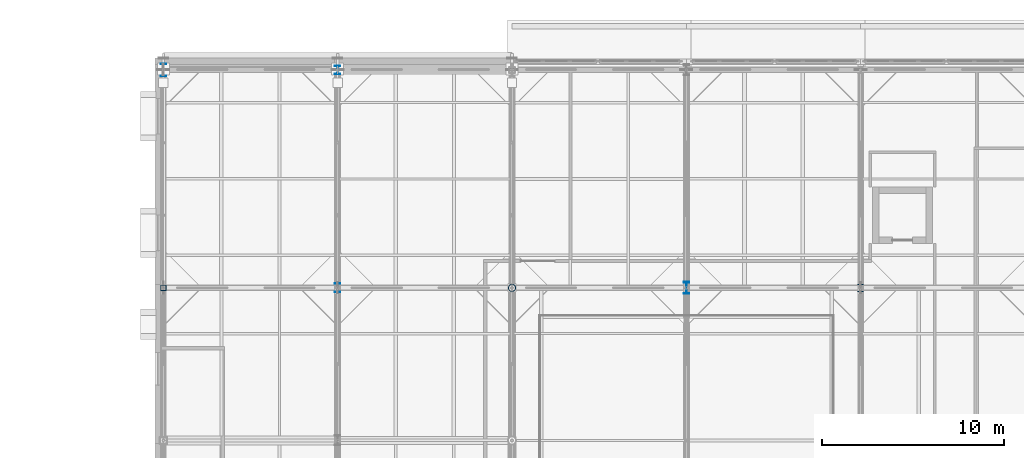
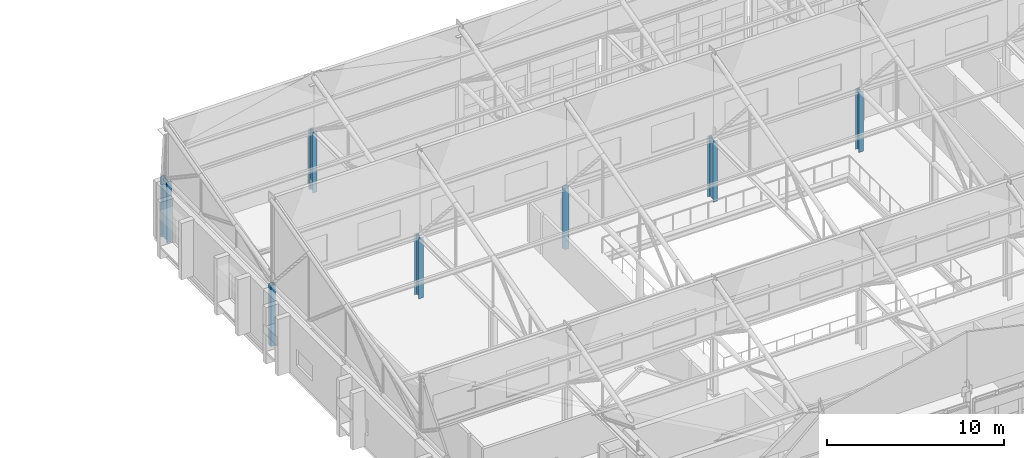
# One storey, part 4 of 89: 7 columns.
"""IFC4 building model written with IfcOpenShell, lengths in metres."""

from ifc_helpers import new_model, si_unit, direction, frame, origin, origin_2d, place, context, subcontext, project, spatial, hollow_rectangle, hollow_circle, i_section, extrude, material, material_profile, profile_set, type_object, element, save


model = new_model("IFC4")

# Units and contexts
model_context = context("Model", 3, precision=1e-05, world=origin(), true_north=direction((0.0, 1.0)))
body_context = subcontext(model_context, "Body", "Model", "MODEL_VIEW")
ifc_project = project(units=[si_unit("LENGTHUNIT", "METRE"), si_unit("AREAUNIT", "SQUARE_METRE"), si_unit("VOLUMEUNIT", "CUBIC_METRE"), si_unit("PLANEANGLEUNIT", "RADIAN"), si_unit("MASSUNIT", "GRAM", prefix="KILO")], contexts=[model_context])

# Site, building, storey
site_placement = place(None, origin())
site = spatial("IfcSite", under=ifc_project, at=site_placement, CompositionType="ELEMENT")
building_placement = place(site_placement, origin())
building = spatial("IfcBuilding", under=site, at=building_placement, Name="Zereglee Splitstone Museum", CompositionType="ELEMENT")
storey_placement = place(building_placement, frame((0.0, 0.0, 21.300048828125)))
storey = spatial("IfcBuildingStorey", under=building, at=storey_placement, Name="L04", CompositionType="ELEMENT", Elevation=21.300048828125)

# Columns
ifc_material_1 = material(Name="Steel S355J2H", Category="steel")
ifc_material_profile_1 = material_profile(ifc_material_1, hollow_circle(Radius=0.203125, WallThickness=0.02001953125, at=origin_2d()), Name="CHS 406.4x20")
ifc_profile_set_1 = profile_set([ifc_material_profile_1], Name="Steel S355J2H")
column_type_1 = type_object("IfcColumnType", Name="C-18", PredefinedType="COLUMN", material=ifc_profile_set_1)
column_1_placement = place(storey_placement, frame((97.199951171875, 38.39990234375, 0.0), z_axis=(0.0, 0.0, 1.0), x_axis=(1.0, 0.0, 0.0)))
element("IfcColumn", 1, at=column_1_placement, inside=storey, type_object=column_type_1, Name="Column 12/E L04", PredefinedType="COLUMN", context=body_context, shape_type="SweptSolid", body=[
    extrude(hollow_circle(Radius=0.203125, WallThickness=0.02001953125, at=origin_2d()), origin(), (0.0, 0.0, 1.0), 4.199951171875),
])
ifc_material_2 = material(Name="Steel S355J2", Category="steel")
ifc_material_profile_2 = material_profile(ifc_material_2, i_section(OverallWidth=0.300048828125, OverallDepth=0.39990234375, WebThickness=0.013427734375, FlangeThickness=0.02392578125, FilletRadius=0.027099609375, at=origin_2d()), Name="HE 400 B")
ifc_profile_set_2 = profile_set([ifc_material_profile_2], Name="Steel S355J2")
column_type_2 = type_object("IfcColumnType", Name="C-15", PredefinedType="COLUMN", material=ifc_profile_set_2)
column_2_placement = place(storey_placement, frame((116.39990234375, 38.39990234375, 0.0), z_axis=(0.0, 0.0, 1.0), x_axis=(1.0, 0.0, 0.0)))
element("IfcColumn", 2, at=column_2_placement, inside=storey, type_object=column_type_2, Name="Column 14/E L04", PredefinedType="COLUMN", context=body_context, shape_type="SweptSolid", body=[
    extrude(i_section(OverallWidth=0.300048828125, OverallDepth=0.39990234375, WebThickness=0.013427734375, FlangeThickness=0.02392578125, FilletRadius=0.027099609375, at=origin_2d()), origin(), (0.0, 0.0, 1.0), 4.199951171875),
])
ifc_material_profile_3 = material_profile(ifc_material_2, i_section(OverallWidth=0.300048828125, OverallDepth=0.449951171875, WebThickness=0.013916015625, FlangeThickness=0.02587890625, FilletRadius=0.027099609375, at=origin_2d()), Name="HE 450 B")
ifc_profile_set_3 = profile_set([ifc_material_profile_3], Name="Steel S355J2")
column_type_3 = type_object("IfcColumnType", Name="C-14", PredefinedType="COLUMN", material=ifc_profile_set_3)
column_3_placement = place(storey_placement, frame((87.60009765625, 50.39990234375, 0.0), z_axis=(0.0, 0.0, 1.0), x_axis=(1.0, 0.0, 0.0)))
element("IfcColumn", 3, at=column_3_placement, inside=storey, type_object=column_type_3, Name="Column 11/F L04", PredefinedType="COLUMN", context=body_context, shape_type="SweptSolid", body=[
    extrude(i_section(OverallWidth=0.300048828125, OverallDepth=0.449951171875, WebThickness=0.013916015625, FlangeThickness=0.02587890625, FilletRadius=0.027099609375, at=origin_2d()), origin(), (0.0, 0.0, 1.0), 4.199951171875),
])
ifc_material_profile_4 = material_profile(ifc_material_2, i_section(OverallWidth=0.300048828125, OverallDepth=0.5, WebThickness=0.014404296875, FlangeThickness=0.028076171875, FilletRadius=0.027099609375, at=origin_2d()), Name="HE 500 B")
ifc_profile_set_4 = profile_set([ifc_material_profile_4], Name="Steel S355J2")
column_type_4 = type_object("IfcColumnType", Name="C-13", PredefinedType="COLUMN", material=ifc_profile_set_4)
column_4_placement = place(storey_placement, frame((87.60009765625, 38.39990234375, 0.0), z_axis=(0.0, 0.0, 1.0), x_axis=(1.0, 0.0, 0.0)))
element("IfcColumn", 4, at=column_4_placement, inside=storey, type_object=column_type_4, Name="Column 11/E L04", PredefinedType="COLUMN", context=body_context, shape_type="SweptSolid", body=[
    extrude(i_section(OverallWidth=0.300048828125, OverallDepth=0.5, WebThickness=0.014404296875, FlangeThickness=0.028076171875, FilletRadius=0.027099609375, at=origin_2d()), origin(), (0.0, 0.0, 1.0), 4.199951171875),
])
ifc_material_profile_5 = material_profile(ifc_material_2, i_section(OverallWidth=0.300048828125, OverallDepth=0.64990234375, WebThickness=0.01611328125, FlangeThickness=0.031005859375, FilletRadius=0.027099609375, at=origin_2d()), Name="HE 650 B")
ifc_profile_set_5 = profile_set([ifc_material_profile_5], Name="Steel S355J2")
column_type_5 = type_object("IfcColumnType", Name="C-10", PredefinedType="COLUMN", material=ifc_profile_set_5)
column_5_placement = place(storey_placement, frame((106.800048828125, 38.39990234375, 0.0), z_axis=(0.0, 0.0, 1.0), x_axis=(1.0, 0.0, 0.0)))
element("IfcColumn", 5, at=column_5_placement, inside=storey, type_object=column_type_5, Name="Column 13/E L04", PredefinedType="COLUMN", context=body_context, shape_type="SweptSolid", body=[
    extrude(i_section(OverallWidth=0.300048828125, OverallDepth=0.64990234375, WebThickness=0.01611328125, FlangeThickness=0.031005859375, FilletRadius=0.027099609375, at=origin_2d()), origin(), (0.0, 0.0, 1.0), 4.199951171875),
])
ifc_material_profile_6 = material_profile(ifc_material_2, i_section(OverallWidth=0.300048828125, OverallDepth=0.699951171875, WebThickness=0.01708984375, FlangeThickness=0.031982421875, FilletRadius=0.027099609375, at=origin_2d()), Name="HE 700 B")
ifc_profile_set_6 = profile_set([ifc_material_profile_6], Name="Steel S355J2")
column_type_6 = type_object("IfcColumnType", Name="C-09", PredefinedType="COLUMN", material=ifc_profile_set_6)
column_6_placement = place(storey_placement, frame((78.0, 50.39990234375, 0.0), z_axis=(0.0, 0.0, 1.0), x_axis=(1.0, 0.0, 0.0)))
element("IfcColumn", 6, at=column_6_placement, inside=storey, type_object=column_type_6, Name="Column 10/F L04", PredefinedType="COLUMN", context=body_context, shape_type="SweptSolid", body=[
    extrude(i_section(OverallWidth=0.300048828125, OverallDepth=0.699951171875, WebThickness=0.01708984375, FlangeThickness=0.031982421875, FilletRadius=0.027099609375, at=origin_2d()), origin(), (0.0, 0.0, 1.0), 4.199951171875),
])
ifc_material_profile_7 = material_profile(ifc_material_1, hollow_rectangle(XDim=0.300048828125, YDim=0.300048828125, WallThickness=0.01611328125, at=origin_2d()), Name="SHS 300x300x16")
ifc_profile_set_7 = profile_set([ifc_material_profile_7], Name="Steel S355J2H")
column_type_7 = type_object("IfcColumnType", Name="C-20", PredefinedType="COLUMN", material=ifc_profile_set_7)
column_7_placement = place(storey_placement, frame((78.0, 38.39990234375, 0.0), z_axis=(0.0, 0.0, 1.0), x_axis=(1.0, 0.0, 0.0)))
element("IfcColumn", 7, at=column_7_placement, inside=storey, type_object=column_type_7, Name="Column 10/E L04", PredefinedType="COLUMN", context=body_context, shape_type="SweptSolid", body=[
    extrude(hollow_rectangle(XDim=0.300048828125, YDim=0.300048828125, WallThickness=0.01611328125, at=origin_2d()), origin(), (0.0, 0.0, 1.0), 4.199951171875),
])

save(model, "model.ifc")
